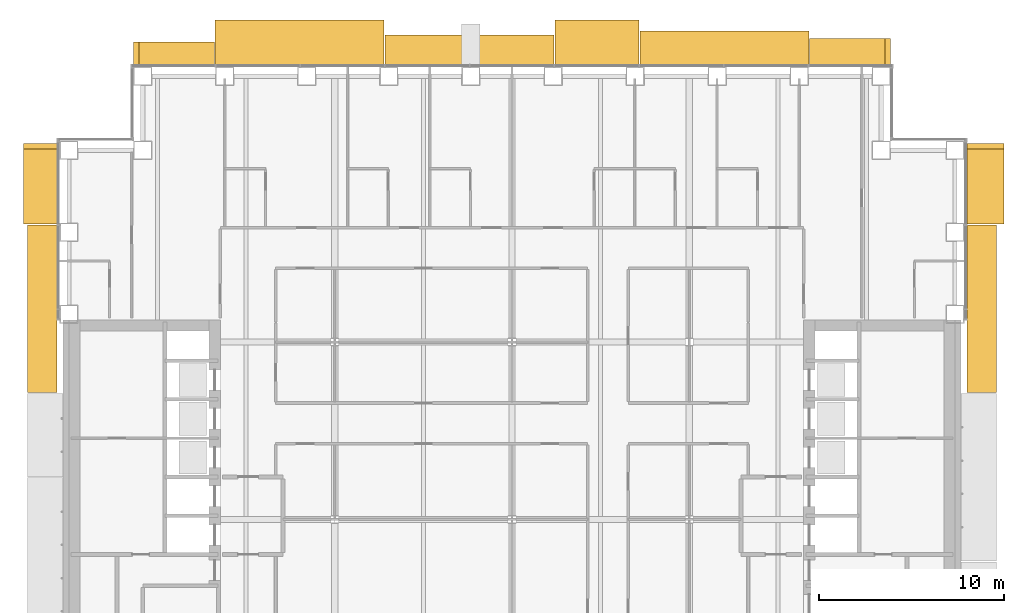
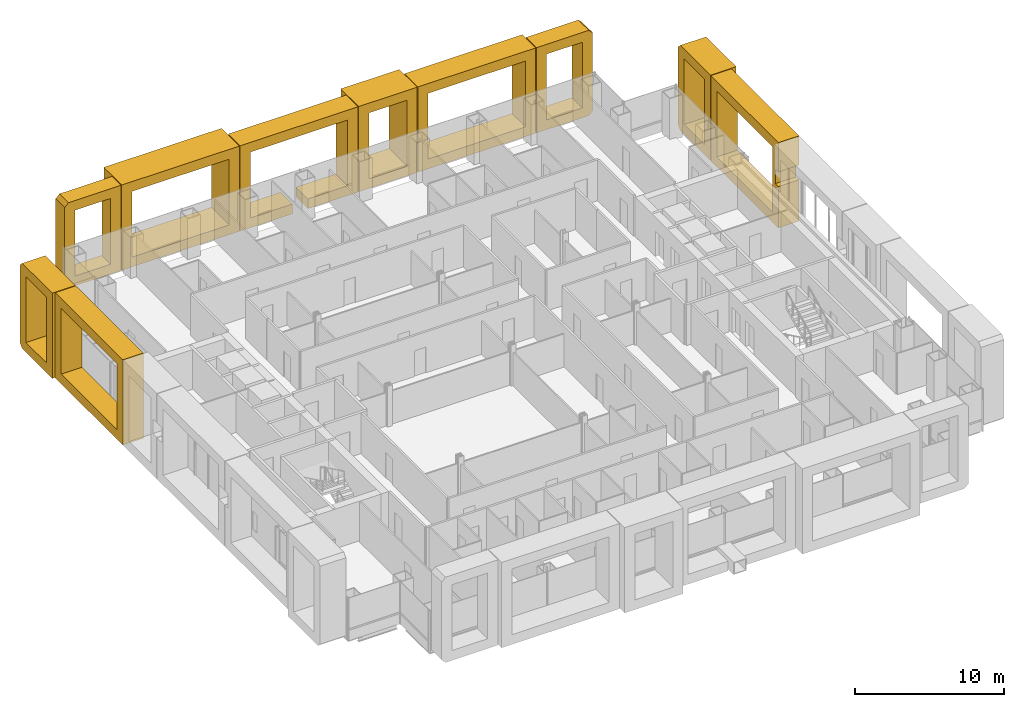
# One storey, part 24 of 25: 10 coverings.
"""IFC4 building model written with IfcOpenShell, lengths in metres."""

from ifc_helpers import new_model, si_unit, direction, frame, origin, place, context, subcontext, project, spatial, polyline, outline, extrude, material, type_object, element, save


model = new_model("IFC4")

# Units and contexts
model_context = context("Model", 3, precision=1e-05, world=origin(), true_north=direction((0.0, 1.0)))
body_context = subcontext(model_context, "Body", "Model", "MODEL_VIEW")
ifc_project = project(units=[si_unit("LENGTHUNIT", "METRE"), si_unit("AREAUNIT", "SQUARE_METRE"), si_unit("VOLUMEUNIT", "CUBIC_METRE"), si_unit("PLANEANGLEUNIT", "RADIAN"), si_unit("MASSUNIT", "GRAM", prefix="KILO")], contexts=[model_context])

# Site, building, storey
site_placement = place(None, origin())
site = spatial("IfcSite", under=ifc_project, at=site_placement, CompositionType="ELEMENT")
building_placement = place(site_placement, origin())
building = spatial("IfcBuilding", under=site, at=building_placement, Name="Cobrizo Arcos Hotel Tower", CompositionType="ELEMENT")
storey_placement = place(building_placement, frame((0.0, 0.0, 53.0)))
storey = spatial("IfcBuildingStorey", under=building, at=storey_placement, Name="L11", CompositionType="ELEMENT", Elevation=53.0)

# Coverings
ifc_material = material(Name="Aluminium 6063-T6 anodised bronze", Category="aluminium")
covering_type_1 = type_object("IfcCoveringType", Name="FIN-F 1200", PredefinedType="CLADDING", material=ifc_material)
covering_1_placement = place(storey_placement, frame((-16.125, 24.64990234375, 0.0), z_axis=(0.0, 1.0, 0.0), x_axis=(-1.0, 0.0, 0.0)))
element("IfcCovering", 1, at=covering_1_placement, inside=storey, type_object=covering_type_1, Name="Fin frame 12", PredefinedType="CLADDING", context=body_context, shape_type="SweptSolid", body=[
    extrude(outline(polyline([(0.0, 7.0), (0.0, 0.0), (4.074951171875, 0.0), (4.375, 0.300048828125), (4.375, 6.699951171875), (4.074951171875, 7.0), (0.0, 7.0)]), holes=[polyline([(3.574951171875, 0.800048828125), (0.800048828125, 0.800048828125), (0.800048828125, 6.199951171875), (3.574951171875, 6.199951171875), (3.574951171875, 0.800048828125)])]), origin(), (0.0, 0.0, 1.0), 1.2001953125),
])
covering_type_2 = type_object("IfcCoveringType", Name="FIN-F 1400", PredefinedType="CLADDING", material=ifc_material)
covering_2_placement = place(storey_placement, frame((20.5, 24.64990234375, 0.0), z_axis=(0.0, 1.0, 0.0), x_axis=(-1.0, 0.0, 0.0)))
element("IfcCovering", 2, at=covering_2_placement, inside=storey, type_object=covering_type_2, Name="Fin frame 7", PredefinedType="CLADDING", context=body_context, shape_type="SweptSolid", body=[
    extrude(outline(polyline([(0.0, 0.300048828125), (0.300048828125, 0.0), (4.375, 0.0), (4.375, 7.0), (0.300048828125, 7.0), (0.0, 6.699951171875), (0.0, 0.300048828125)]), holes=[polyline([(3.574951171875, 0.800048828125), (0.800048828125, 0.800048828125), (0.800048828125, 6.199951171875), (3.574951171875, 6.199951171875), (3.574951171875, 0.800048828125)])]), origin(), (0.0, 0.0, 1.0), 1.400146484375),
])
covering_type_3 = type_object("IfcCoveringType", Name="FIN-F 1600", PredefinedType="CLADDING", material=ifc_material)
covering_3_placement = place(storey_placement, frame((2.27490234375, 24.64990234375, 0.0), z_axis=(0.0, 1.0, 0.0), x_axis=(-1.0, 0.0, 0.0)))
element("IfcCovering", 3, at=covering_3_placement, inside=storey, type_object=covering_type_3, Name="Fin frame 10", PredefinedType="CLADDING", context=body_context, shape_type="SweptSolid", body=[
    extrude(outline(polyline([(0.0, 0.0), (3.895263671875, 0.0), (3.895263671875, 0.800048828125), (0.800048828125, 0.800048828125), (0.800048828125, 6.199951171875), (8.35009765625, 6.199951171875), (8.35009765625, 0.800048828125), (5.09912109375, 0.800048828125), (5.09912109375, 0.0), (9.14990234375, 0.0), (9.14990234375, 7.0), (0.0, 7.0), (0.0, 0.0)])), origin(), (0.0, 0.0, 1.0), 1.60009765625),
])
covering_4_placement = place(storey_placement, frame((24.64990234375, 6.875, 0.0), z_axis=(1.0, 0.0, 0.0), x_axis=(0.0, 1.0, 0.0)))
element("IfcCovering", 4, at=covering_4_placement, inside=storey, type_object=covering_type_3, Name="Fin frame 31", PredefinedType="CLADDING", context=body_context, shape_type="SweptSolid", body=[
    extrude(outline(polyline([(0.0, 7.0), (0.0, 4.60205078125), (0.393798828125, 4.60205078125), (0.393798828125, 3.39794921875), (0.0, 3.39794921875), (0.0, 0.0), (9.083251953125, 0.0), (9.083251953125, 7.0), (0.0, 7.0)]), holes=[polyline([(8.283203125, 0.800048828125), (0.800048828125, 0.800048828125), (0.800048828125, 6.199951171875), (8.283203125, 6.199951171875), (8.283203125, 0.800048828125)])]), origin(), (0.0, 0.0, 1.0), 1.60009765625),
])
covering_5_placement = place(storey_placement, frame((-24.64990234375, 15.958251953125, 0.0), z_axis=(-1.0, 0.0, 0.0), x_axis=(0.0, -1.0, 0.0)))
element("IfcCovering", 5, at=covering_5_placement, inside=storey, type_object=covering_type_3, Name="Fin frame 70", PredefinedType="CLADDING", context=body_context, shape_type="SweptSolid", body=[
    extrude(outline(polyline([(0.0, 7.0), (0.0, 0.0), (9.083251953125, 0.0), (9.083251953125, 7.0), (0.0, 7.0)]), holes=[polyline([(8.283203125, 0.800048828125), (0.800048828125, 0.800048828125), (0.800048828125, 6.199951171875), (8.283203125, 6.199951171875), (8.283203125, 0.800048828125)])]), origin(), (0.0, 0.0, 1.0), 1.60009765625),
])
covering_type_4 = type_object("IfcCoveringType", Name="FIN-F 1800", PredefinedType="CLADDING", material=ifc_material)
covering_6_placement = place(storey_placement, frame((16.074951171875, 24.64990234375, 0.0), z_axis=(0.0, 1.0, 0.0), x_axis=(-1.0, 0.0, 0.0)))
element("IfcCovering", 6, at=covering_6_placement, inside=storey, type_object=covering_type_4, Name="Fin frame 8", PredefinedType="CLADDING", context=body_context, shape_type="SweptSolid", body=[
    extrude(outline(polyline([(0.0, 7.0), (0.0, 0.0), (9.14990234375, 0.0), (9.14990234375, 7.0), (0.0, 7.0)]), holes=[polyline([(8.35009765625, 0.800048828125), (0.800048828125, 0.800048828125), (0.800048828125, 6.199951171875), (8.35009765625, 6.199951171875), (8.35009765625, 0.800048828125)])]), origin(), (0.0, 0.0, 1.0), 1.800048828125),
])
covering_7_placement = place(storey_placement, frame((-24.64990234375, 20.35009765625, 0.0), z_axis=(-1.0, 0.0, 0.0), x_axis=(0.0, -1.0, 0.0)))
element("IfcCovering", 7, at=covering_7_placement, inside=storey, type_object=covering_type_4, Name="Fin frame 69", PredefinedType="CLADDING", context=body_context, shape_type="SweptSolid", body=[
    extrude(outline(polyline([(0.0, 0.300048828125), (0.300048828125, 0.0), (4.341796875, 0.0), (4.341796875, 7.0), (0.300048828125, 7.0), (0.0, 6.699951171875), (0.0, 0.300048828125)]), holes=[polyline([(3.541748046875, 0.800048828125), (0.800048828125, 0.800048828125), (0.800048828125, 6.199951171875), (3.541748046875, 6.199951171875), (3.541748046875, 0.800048828125)])]), origin(), (0.0, 0.0, 1.0), 1.800048828125),
])
covering_type_5 = type_object("IfcCoveringType", Name="FIN-F 2000", PredefinedType="CLADDING", material=ifc_material)
covering_8_placement = place(storey_placement, frame((24.64990234375, 16.00830078125, 0.0), z_axis=(1.0, 0.0, 0.0), x_axis=(0.0, 1.0, 0.0)))
element("IfcCovering", 8, at=covering_8_placement, inside=storey, type_object=covering_type_5, Name="Fin frame 32", PredefinedType="CLADDING", context=body_context, shape_type="SweptSolid", body=[
    extrude(outline(polyline([(0.0, 7.0), (0.0, 0.0), (4.041748046875, 0.0), (4.341796875, 0.300048828125), (4.341796875, 6.699951171875), (4.041748046875, 7.0), (0.0, 7.0)]), holes=[polyline([(3.541748046875, 0.800048828125), (0.800048828125, 0.800048828125), (0.800048828125, 6.199951171875), (3.541748046875, 6.199951171875), (3.541748046875, 0.800048828125)])]), origin(), (0.0, 0.0, 1.0), 2.0),
])
covering_type_6 = type_object("IfcCoveringType", Name="FIN-F 2400", PredefinedType="CLADDING", material=ifc_material)
covering_9_placement = place(storey_placement, frame((6.875, 24.64990234375, 0.0), z_axis=(0.0, 1.0, 0.0), x_axis=(-1.0, 0.0, 0.0)))
element("IfcCovering", 9, at=covering_9_placement, inside=storey, type_object=covering_type_6, Name="Fin frame 9", PredefinedType="CLADDING", context=body_context, shape_type="SweptSolid", body=[
    extrude(outline(polyline([(0.0, 7.0), (0.0, 0.0), (4.550048828125, 0.0), (4.550048828125, 7.0), (0.0, 7.0)]), holes=[polyline([(3.75, 0.800048828125), (0.800048828125, 0.800048828125), (0.800048828125, 6.199951171875), (3.75, 6.199951171875), (3.75, 0.800048828125)])]), origin(), (0.0, 0.0, 1.0), 2.400146484375),
])
covering_10_placement = place(storey_placement, frame((-6.925048828125, 24.64990234375, 0.0), z_axis=(0.0, 1.0, 0.0), x_axis=(-1.0, 0.0, 0.0)))
element("IfcCovering", 10, at=covering_10_placement, inside=storey, type_object=covering_type_6, Name="Fin frame 11", PredefinedType="CLADDING", context=body_context, shape_type="SweptSolid", body=[
    extrude(outline(polyline([(0.0, 7.0), (0.0, 0.0), (9.14990234375, 0.0), (9.14990234375, 7.0), (0.0, 7.0)]), holes=[polyline([(8.35009765625, 0.800048828125), (0.800048828125, 0.800048828125), (0.800048828125, 6.199951171875), (8.35009765625, 6.199951171875), (8.35009765625, 0.800048828125)])]), origin(), (0.0, 0.0, 1.0), 2.400146484375),
])

save(model, "model.ifc")
